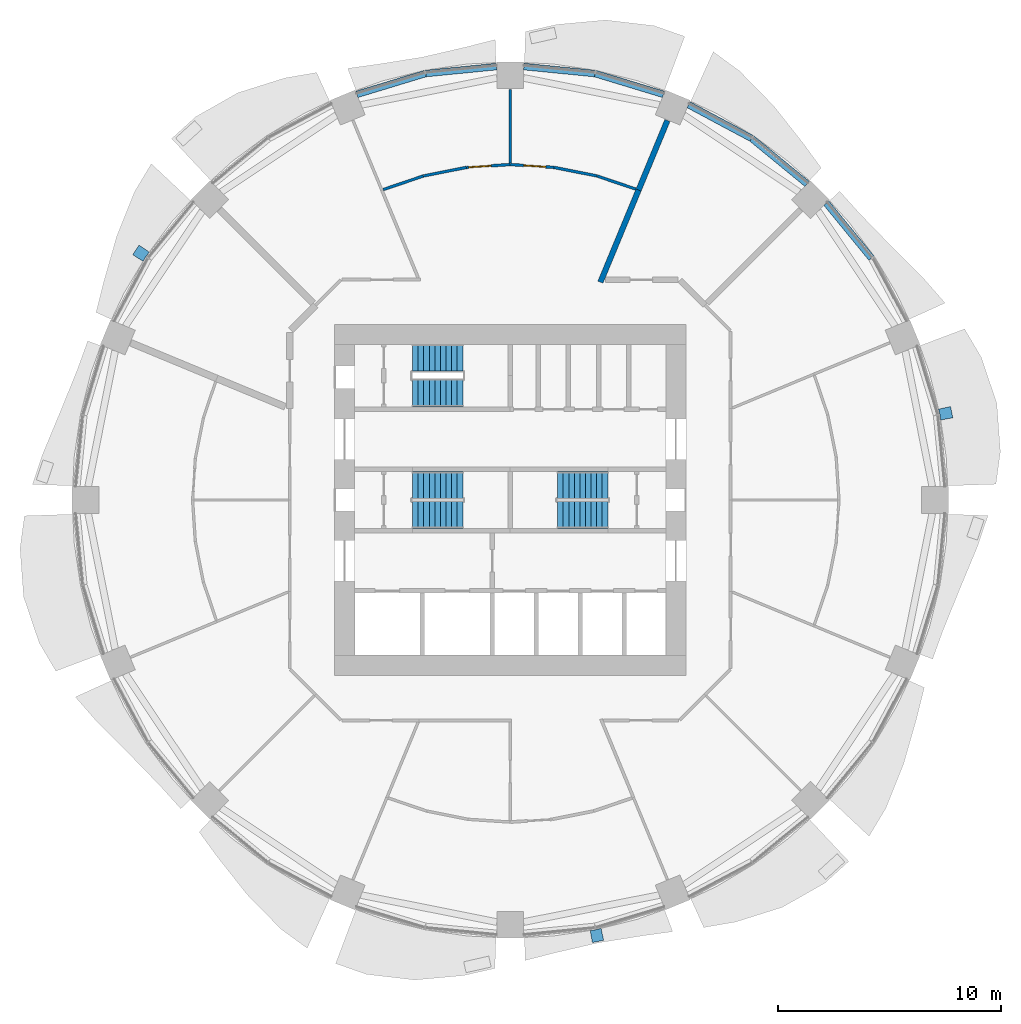
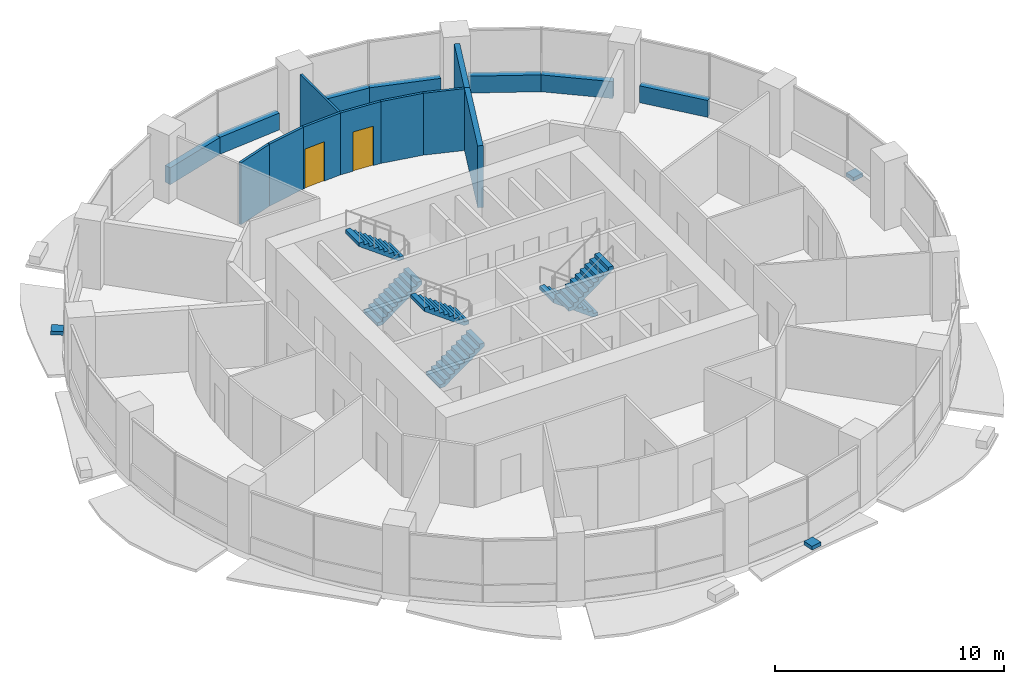
# One storey, part 11 of 15: 16 walls, 6 stair flights, 3 discrete accessories, 2 doors, 2 openings, 3 elements without a shape of their own.
"""IFC4 building model written with IfcOpenShell, lengths in metres."""

from ifc_helpers import new_model, si_unit, direction, frame, frame_2d, origin, place, context, subcontext, project, spatial, polyline, rectangle, outline, extrude, material, layer, layer_set, type_object, element, fill, aggregate, save


model = new_model("IFC4")

# Units and contexts
model_context = context("Model", 3, precision=1e-05, world=origin(), true_north=direction((0.0, 1.0)))
body_context = subcontext(model_context, "Body", "Model", "MODEL_VIEW")
ifc_project = project(units=[si_unit("LENGTHUNIT", "METRE"), si_unit("AREAUNIT", "SQUARE_METRE"), si_unit("VOLUMEUNIT", "CUBIC_METRE"), si_unit("PLANEANGLEUNIT", "RADIAN"), si_unit("MASSUNIT", "GRAM", prefix="KILO")], contexts=[model_context])

# Site, building, storey
site_placement = place(None, origin())
site = spatial("IfcSite", under=ifc_project, at=site_placement, CompositionType="ELEMENT")
building_placement = place(site_placement, origin())
building = spatial("IfcBuilding", under=site, at=building_placement, Name="Polderwave Tower", CompositionType="ELEMENT")
storey_placement = place(building_placement, frame((0.0, 0.0, 51.75)))
storey = spatial("IfcBuildingStorey", under=building, at=storey_placement, Name="L13", CompositionType="ELEMENT", Elevation=51.75)

# Walls
ifc_material_1 = material(Name="Concrete C50/60 (board-marked)", Category="concrete")
ifc_layer_1 = layer(ifc_material_1, 0.300048828125)
ifc_layer_set_1 = layer_set([ifc_layer_1], Name="Concrete spandrel upstand C50/60")
wall_type_1 = type_object("IfcWallType", Name="Concrete spandrel upstand C50/60", PredefinedType="SOLIDWALL", material=ifc_layer_set_1)
for number, where, z_axis, x_axis, name in (
    (1, (16.1875, 10.83349609375, 0.0), (0.0, 0.0, 1.0), (-0.634229767652, 0.773144618958, 0.0), "Spandrel L13 2b"),
    (2, (13.29833984375, 14.16552734375, 0.0), (0.0, 0.0, 1.0), (-0.773144618958, 0.634229767652, 0.0), "Spandrel L13 3a"),
):
    element("IfcWall", number, at=place(storey_placement, frame(where, z_axis=z_axis, x_axis=x_axis)), inside=storey, type_object=wall_type_1, Name=name, PredefinedType="SOLIDWALL", context=body_context, shape_type="SweptSolid", body=[
        extrude(rectangle(XDim=3.18798828125, YDim=0.300048828125, at=frame_2d((1.593994140625, 0.0))), origin(), (0.0, 0.0, 1.0), 0.89990234375),
    ])
wall_1_placement = place(storey_placement, frame((10.808837890625, 16.2041015625, 0.0), z_axis=(0.0, 0.0, 1.0), x_axis=(-0.881994263934, 0.471260138764, 0.0)))
element("IfcWall", 3, at=wall_1_placement, inside=storey, type_object=wall_type_1, Name="Spandrel L13 3b", PredefinedType="SOLIDWALL", context=body_context, shape_type="SweptSolid", body=[
    extrude(rectangle(XDim=3.1865234375, YDim=0.300048828125, at=frame_2d((1.59326171875, 0.0))), origin(), (0.0, 0.0, 1.0), 0.89990234375),
])
wall_2_placement = place(storey_placement, frame((6.864501953125, 18.17529296875, 0.0), z_axis=(0.0, 0.0, 1.0), x_axis=(-0.956849017819, 0.290585541792, 0.0)))
element("IfcWall", 4, at=wall_2_placement, inside=storey, type_object=wall_type_1, Name="Spandrel L13 4a", PredefinedType="SOLIDWALL", context=body_context, shape_type="SweptSolid", body=[
    extrude(rectangle(XDim=3.1875, YDim=0.300048828125, at=frame_2d((1.59375, 0.0))), origin(), (0.0, 0.0, 1.0), 0.89990234375),
])
for number, where, z_axis, x_axis, name in (
    (5, (3.78515625, 19.107421875, 0.0), (0.0, 0.0, 1.0), (-0.995198144732, 0.097880808755, 0.0), "Spandrel L13 4b"),
    (6, (-0.61279296875, 19.41943359375, 0.0), (0.0, 0.0, 1.0), (-0.995198144732, -0.097880808755, 0.0), "Spandrel L13 5a"),
):
    element("IfcWall", number, at=place(storey_placement, frame(where, z_axis=z_axis, x_axis=x_axis)), inside=storey, type_object=wall_type_1, Name=name, PredefinedType="SOLIDWALL", context=body_context, shape_type="SweptSolid", body=[
        extrude(rectangle(XDim=3.187744140625, YDim=0.300048828125, at=frame_2d((1.59375, 0.0))), origin(), (0.0, 0.0, 1.0), 0.89990234375),
    ])
wall_3_placement = place(storey_placement, frame((-3.814453125, 19.1015625, 0.0), z_axis=(0.0, 0.0, 1.0), x_axis=(-0.956849017819, -0.290585541792, 0.0)))
element("IfcWall", 7, at=wall_3_placement, inside=storey, type_object=wall_type_1, Name="Spandrel L13 5b", PredefinedType="SOLIDWALL", context=body_context, shape_type="SweptSolid", body=[
    extrude(rectangle(XDim=3.1875, YDim=0.300048828125, at=frame_2d((1.59375, 0.0))), origin(), (0.0, 0.0, 1.0), 0.89990234375),
])

# Wall, opening, door
ifc_material_2 = material(Name="Fire-resisting board on steel studs", Category="steel")
ifc_layer_2 = layer(ifc_material_2, 0.125)
ifc_layer_set_2 = layer_set([ifc_layer_2], Name="Corridor wall 125 mm EI 60")
wall_type_2 = type_object("IfcWallType", Name="Corridor wall 125 mm EI 60", PredefinedType="PARTITIONING", material=ifc_layer_set_2)
wall_4_placement = place(storey_placement, frame((0.0, 15.030029296875, 0.0), z_axis=(0.0, 0.0, 1.0), x_axis=(0.997855616904, -0.065453554619, 0.0)))
wall_4 = element("IfcWall", 8, at=wall_4_placement, inside=storey, type_object=wall_type_2, Name="IN-L13-W035", PredefinedType="PARTITIONING", context=body_context, shape_type="SweptSolid", body=[
    extrude(rectangle(XDim=1.9619140625, YDim=0.125, at=frame_2d((0.98095703125, 0.0))), origin(), (0.0, 0.0, 1.0), 3.300048828125),
])
opening_1_placement = place(wall_4_placement, frame((0.60009765625, 0.0, 0.0)))
opening_1 = element("IfcOpeningElement", 9, at=opening_1_placement, cuts=wall_4, Name="Opening L13-D63", PredefinedType="OPENING", context=body_context, shape_type="SweptSolid", body=[
    extrude(rectangle(XDim=1.0, YDim=2.10009765625, at=frame_2d((0.5, 1.050048828125))), frame((0.0, 0.072509765625, 0.0), z_axis=(0.0, -1.0, 0.0), x_axis=(1.0, 0.0, 0.0)), (0.0, 0.0, 1.0), 0.14501953125),
])
ifc_material_3 = material(Name="Timber fire door leaf", Category="wood")
door_type = type_object("IfcDoorType", Name="Fire door FD30S 1000 x 2100", OperationType="NOTDEFINED", PredefinedType="DOOR", material=ifc_material_3)
door_1_placement = place(opening_1_placement, origin())
door_1 = element("IfcDoor", 10, at=door_1_placement, inside=storey, type_object=door_type, Name="Door L13-D63", OperationType="SINGLE_SWING_RIGHT", OverallHeight=2.10009765625, OverallWidth=1.0, PredefinedType="DOOR", context=body_context, shape_type="SweptSolid", body=[
    extrude(rectangle(XDim=1.0, YDim=2.10009765625, at=frame_2d((0.5, 1.050048828125))), frame((0.0, 0.02490234375, 0.0), z_axis=(0.0, -1.0, 0.0), x_axis=(1.0, 0.0, 0.0)), (0.0, 0.0, 1.0), 0.050048828125),
])
fill(opening_1, door_1)

# Walls
wall_5_placement = place(storey_placement, frame((1.9658203125, 14.900634765625, 0.0), z_axis=(0.0, 0.0, 1.0), x_axis=(0.980795915473, -0.19503684829, 0.0)))
element("IfcWall", 11, at=wall_5_placement, inside=storey, type_object=wall_type_2, Name="IN-L13-W036", PredefinedType="PARTITIONING", context=body_context, shape_type="SweptSolid", body=[
    extrude(rectangle(XDim=1.957763671875, YDim=0.125, at=frame_2d((0.97900390625, 0.0))), origin(), (0.0, 0.0, 1.0), 3.300048828125),
])
wall_6_placement = place(storey_placement, frame((3.89404296875, 14.5166015625, 0.0), z_axis=(0.0, 0.0, 1.0), x_axis=(0.946909907848, -0.321499030201, 0.0)))
element("IfcWall", 12, at=wall_6_placement, inside=storey, type_object=wall_type_2, Name="IN-L13-W037", PredefinedType="PARTITIONING", context=body_context, shape_type="SweptSolid", body=[
    extrude(rectangle(XDim=1.832275390625, YDim=0.125, at=frame_2d((0.916015625, 0.0))), origin(), (0.0, 0.0, 1.0), 3.300048828125),
])
wall_7_placement = place(storey_placement, frame((-5.6884765625, 13.907470703125, 0.0), z_axis=(0.0, 0.0, 1.0), x_axis=(0.946929690395, 0.321440758848, 0.0)))
element("IfcWall", 13, at=wall_7_placement, inside=storey, type_object=wall_type_2, Name="IN-L13-W039", PredefinedType="PARTITIONING", context=body_context, shape_type="SweptSolid", body=[
    extrude(rectangle(XDim=1.89501953125, YDim=0.125, at=frame_2d((0.947509765625, 0.0))), origin(), (0.0, 0.0, 1.0), 3.300048828125),
])
wall_8_placement = place(storey_placement, frame((-3.885986328125, 14.518798828125, 0.0), z_axis=(0.0, 0.0, 1.0), x_axis=(0.980795915473, 0.19503684829, 0.0)))
element("IfcWall", 14, at=wall_8_placement, inside=storey, type_object=wall_type_2, Name="IN-L13-W040", PredefinedType="PARTITIONING", context=body_context, shape_type="SweptSolid", body=[
    extrude(rectangle(XDim=1.957763671875, YDim=0.125, at=frame_2d((0.97900390625, 0.0))), origin(), (0.0, 0.0, 1.0), 3.300048828125),
])

# Wall, opening, door
wall_9_placement = place(storey_placement, frame((-1.957763671875, 14.901611328125, 0.0), z_axis=(0.0, 0.0, 1.0), x_axis=(0.997855616904, 0.065453554619, 0.0)))
wall_9 = element("IfcWall", 15, at=wall_9_placement, inside=storey, type_object=wall_type_2, Name="IN-L13-W041", PredefinedType="PARTITIONING", context=body_context, shape_type="SweptSolid", body=[
    extrude(rectangle(XDim=1.9619140625, YDim=0.125, at=frame_2d((0.98095703125, 0.0))), origin(), (0.0, 0.0, 1.0), 3.300048828125),
])
opening_2_placement = place(wall_9_placement, frame((0.10009765625, 0.0, 0.0)))
opening_2 = element("IfcOpeningElement", 16, at=opening_2_placement, cuts=wall_9, Name="Opening L13-D64", PredefinedType="OPENING", context=body_context, shape_type="SweptSolid", body=[
    extrude(rectangle(XDim=1.0, YDim=2.10009765625, at=frame_2d((0.5, 1.050048828125))), frame((0.0, 0.072509765625, 0.0), z_axis=(0.0, -1.0, 0.0), x_axis=(1.0, 0.0, 0.0)), (0.0, 0.0, 1.0), 0.14501953125),
])
door_2_placement = place(opening_2_placement, origin())
door_2 = element("IfcDoor", 17, at=door_2_placement, inside=storey, type_object=door_type, Name="Door L13-D64", OperationType="SINGLE_SWING_LEFT", OverallHeight=2.10009765625, OverallWidth=1.0, PredefinedType="DOOR", context=body_context, shape_type="SweptSolid", body=[
    extrude(rectangle(XDim=1.0, YDim=2.10009765625, at=frame_2d((0.5, 1.050048828125))), frame((0.0, 0.02490234375, 0.0), z_axis=(0.0, -1.0, 0.0), x_axis=(1.0, 0.0, 0.0)), (0.0, 0.0, 1.0), 0.050048828125),
])
fill(opening_2, door_2)

# Walls
ifc_material_4 = material(Name="Acoustic double plasterboard on steel studs", Category="steel")
ifc_layer_3 = layer(ifc_material_4, 0.110107421875)
ifc_layer_set_3 = layer_set([ifc_layer_3], Name="Partition 110 mm acoustic double board")
wall_type_3 = type_object("IfcWallType", Name="Partition 110 mm acoustic double board", PredefinedType="PARTITIONING", material=ifc_layer_set_3)
wall_10_placement = place(storey_placement, frame((0.0, 15.09619140625, 0.0), z_axis=(0.0, 0.0, 1.0), x_axis=(0.0, 1.0, 0.0)))
element("IfcWall", 18, at=wall_10_placement, inside=storey, type_object=wall_type_3, Name="IN-L13-W038", PredefinedType="PARTITIONING", context=body_context, shape_type="SweptSolid", body=[
    extrude(rectangle(XDim=3.3037109375, YDim=0.110107421875, at=frame_2d((1.65185546875, 0.0))), origin(), (0.0, 0.0, 1.0), 3.300048828125),
])
ifc_material_5 = material(Name="Fire-resisting board on steel studs, mineral wool", Category="steel")
ifc_layer_4 = layer(ifc_material_5, 0.25)
ifc_layer_set_4 = layer_set([ifc_layer_4], Name="Plant room wall 250 mm EI 120")
wall_type_4 = type_object("IfcWallType", Name="Plant room wall 250 mm EI 120", PredefinedType="PARTITIONING", material=ifc_layer_set_4)
wall_11_placement = place(storey_placement, frame((4.0419921875, 9.758544921875, 0.0), z_axis=(0.0, 0.0, 1.0), x_axis=(0.382697682956, 0.923873629595, 0.0)))
element("IfcWall", 19, at=wall_11_placement, inside=storey, type_object=wall_type_4, Name="IN-L13-W033", PredefinedType="PARTITIONING", context=body_context, shape_type="SweptSolid", body=[
    extrude(rectangle(XDim=4.467529296875, YDim=0.25, at=frame_2d((2.23388671875, 0.0))), origin(), (0.0, 0.0, 1.0), 3.300048828125),
])
wall_12_placement = place(storey_placement, frame((5.751708984375, 13.885986328125, 0.0), z_axis=(0.0, 0.0, 1.0), x_axis=(0.382716478617, 0.923865843613, 0.0)))
element("IfcWall", 20, at=wall_12_placement, inside=storey, type_object=wall_type_4, Name="IN-L13-W034", PredefinedType="PARTITIONING", context=body_context, shape_type="SweptSolid", body=[
    extrude(rectangle(XDim=3.3701171875, YDim=0.25, at=frame_2d((1.68505859375, 0.0))), origin(), (0.0, 0.0, 1.0), 3.300048828125),
])

# Stair, stair flights
ifc_material_6 = material(Name="Concrete C40/50", Category="concrete")
stair_type = type_object("IfcStairType", Name="Exit stair 1200 x 20 risers", PredefinedType="HALF_TURN_STAIR", material=ifc_material_6)
stair_1_placement = place(storey_placement, origin())
stair_1 = element("IfcStair", 21, at=stair_1_placement, inside=storey, type_object=stair_type, Name="L13 Exit stair A", PredefinedType="HALF_TURN_STAIR")
stair_flight_type = type_object("IfcStairFlightType", Name="Stair flight 1200", PredefinedType="STRAIGHT", material=ifc_material_6)
stair_flight_1_placement = place(storey_placement, frame((-4.3740234375, -0.675048828125, 0.0), z_axis=(0.0, 0.0, 1.0), x_axis=(1.0, 0.0, 0.0)))
stair_flight_1 = element("IfcStairFlight", 22, at=stair_flight_1_placement, type_object=stair_flight_type, Name="ST-A flight 1", NumberOfRisers=10, NumberOfTreads=9, PredefinedType="STRAIGHT", RiserHeight=0.1825, TreadLength=0.25, context=body_context, shape_type="SweptSolid", body=[
    extrude(outline(polyline([(0.0, 0.0), (0.0, 0.1826171875), (0.25, 0.1826171875), (0.25, 0.364990234375), (0.5, 0.364990234375), (0.5, 0.547607421875), (0.75, 0.547607421875), (0.75, 0.72998046875), (1.0, 0.72998046875), (1.0, 0.91259765625), (1.25, 0.91259765625), (1.25, 1.094970703125), (1.5, 1.094970703125), (1.5, 1.277587890625), (1.75, 1.277587890625), (1.75, 1.4599609375), (2.0, 1.4599609375), (2.0, 1.642578125), (2.25, 1.642578125), (2.25, 1.824951171875), (2.25, 1.456787109375), (0.254150390625, 0.0), (0.0, 0.0)])), frame((0.0, 0.60009765625, 0.0), z_axis=(0.0, -1.0, 0.0), x_axis=(1.0, 0.0, 0.0)), (0.0, 0.0, 1.0), 1.199951171875),
])
stair_flight_2_placement = place(storey_placement, frame((-2.1240234375, 0.675048828125, 1.824951171875), z_axis=(0.0, 0.0, 1.0), x_axis=(-1.0, 0.0, 0.0)))
stair_flight_2 = element("IfcStairFlight", 23, at=stair_flight_2_placement, type_object=stair_flight_type, Name="ST-A flight 2", NumberOfRisers=10, NumberOfTreads=9, PredefinedType="STRAIGHT", RiserHeight=0.1825, TreadLength=0.25, context=body_context, shape_type="SweptSolid", body=[
    extrude(outline(polyline([(0.0, 0.0), (0.0, 0.1826171875), (0.25, 0.1826171875), (0.25, 0.364990234375), (0.5, 0.364990234375), (0.5, 0.547607421875), (0.75, 0.547607421875), (0.75, 0.72998046875), (1.0, 0.72998046875), (1.0, 0.91259765625), (1.25, 0.91259765625), (1.25, 1.094970703125), (1.5, 1.094970703125), (1.5, 1.277587890625), (1.75, 1.277587890625), (1.75, 1.4599609375), (2.0, 1.4599609375), (2.0, 1.642578125), (2.25, 1.642578125), (2.25, 1.824951171875), (2.25, 1.456787109375), (0.254150390625, 0.0), (0.0, 0.0)])), frame((0.0, 0.60009765625, 0.0), z_axis=(0.0, -1.0, 0.0), x_axis=(1.0, 0.0, 0.0)), (0.0, 0.0, 1.0), 1.199951171875),
])
aggregate(stair_1, [stair_flight_1, stair_flight_2])

stair_2_placement = place(storey_placement, origin())
stair_2 = element("IfcStair", 24, at=stair_2_placement, inside=storey, type_object=stair_type, Name="L13 Exit stair B", PredefinedType="HALF_TURN_STAIR")
stair_flight_3_placement = place(storey_placement, frame((4.3740234375, 0.675048828125, 0.0), z_axis=(0.0, 0.0, 1.0), x_axis=(-1.0, 0.0, 0.0)))
stair_flight_3 = element("IfcStairFlight", 25, at=stair_flight_3_placement, type_object=stair_flight_type, Name="ST-B flight 1", NumberOfRisers=10, NumberOfTreads=9, PredefinedType="STRAIGHT", RiserHeight=0.1825, TreadLength=0.25, context=body_context, shape_type="SweptSolid", body=[
    extrude(outline(polyline([(0.0, 0.0), (0.0, 0.1826171875), (0.25, 0.1826171875), (0.25, 0.364990234375), (0.5, 0.364990234375), (0.5, 0.547607421875), (0.75, 0.547607421875), (0.75, 0.72998046875), (1.0, 0.72998046875), (1.0, 0.91259765625), (1.25, 0.91259765625), (1.25, 1.094970703125), (1.5, 1.094970703125), (1.5, 1.277587890625), (1.75, 1.277587890625), (1.75, 1.4599609375), (2.0, 1.4599609375), (2.0, 1.642578125), (2.25, 1.642578125), (2.25, 1.824951171875), (2.25, 1.456787109375), (0.254150390625, 0.0), (0.0, 0.0)])), frame((0.0, 0.60009765625, 0.0), z_axis=(0.0, -1.0, 0.0), x_axis=(1.0, 0.0, 0.0)), (0.0, 0.0, 1.0), 1.199951171875),
])
stair_flight_4_placement = place(storey_placement, frame((2.1240234375, -0.675048828125, 1.824951171875), z_axis=(0.0, 0.0, 1.0), x_axis=(1.0, 0.0, 0.0)))
stair_flight_4 = element("IfcStairFlight", 26, at=stair_flight_4_placement, type_object=stair_flight_type, Name="ST-B flight 2", NumberOfRisers=10, NumberOfTreads=9, PredefinedType="STRAIGHT", RiserHeight=0.1825, TreadLength=0.25, context=body_context, shape_type="SweptSolid", body=[
    extrude(outline(polyline([(0.0, 0.0), (0.0, 0.1826171875), (0.25, 0.1826171875), (0.25, 0.364990234375), (0.5, 0.364990234375), (0.5, 0.547607421875), (0.75, 0.547607421875), (0.75, 0.72998046875), (1.0, 0.72998046875), (1.0, 0.91259765625), (1.25, 0.91259765625), (1.25, 1.094970703125), (1.5, 1.094970703125), (1.5, 1.277587890625), (1.75, 1.277587890625), (1.75, 1.4599609375), (2.0, 1.4599609375), (2.0, 1.642578125), (2.25, 1.642578125), (2.25, 1.824951171875), (2.25, 1.456787109375), (0.254150390625, 0.0), (0.0, 0.0)])), frame((0.0, 0.60009765625, 0.0), z_axis=(0.0, -1.0, 0.0), x_axis=(1.0, 0.0, 0.0)), (0.0, 0.0, 1.0), 1.199951171875),
])
aggregate(stair_2, [stair_flight_3, stair_flight_4])

stair_3_placement = place(storey_placement, origin())
stair_3 = element("IfcStair", 27, at=stair_3_placement, inside=storey, type_object=stair_type, Name="L13 Exit stair C", PredefinedType="HALF_TURN_STAIR")
stair_flight_5_placement = place(storey_placement, frame((-4.3740234375, 4.77392578125, 0.0), z_axis=(0.0, 0.0, 1.0), x_axis=(1.0, 0.0, 0.0)))
stair_flight_5 = element("IfcStairFlight", 28, at=stair_flight_5_placement, type_object=stair_flight_type, Name="ST-C flight 1", NumberOfRisers=10, NumberOfTreads=9, PredefinedType="STRAIGHT", RiserHeight=0.1825, TreadLength=0.25, context=body_context, shape_type="SweptSolid", body=[
    extrude(outline(polyline([(0.0, 0.0), (0.0, 0.1826171875), (0.25, 0.1826171875), (0.25, 0.364990234375), (0.5, 0.364990234375), (0.5, 0.547607421875), (0.75, 0.547607421875), (0.75, 0.72998046875), (1.0, 0.72998046875), (1.0, 0.91259765625), (1.25, 0.91259765625), (1.25, 1.094970703125), (1.5, 1.094970703125), (1.5, 1.277587890625), (1.75, 1.277587890625), (1.75, 1.4599609375), (2.0, 1.4599609375), (2.0, 1.642578125), (2.25, 1.642578125), (2.25, 1.824951171875), (2.25, 1.456787109375), (0.254150390625, 0.0), (0.0, 0.0)])), frame((0.0, 0.60009765625, 0.0), z_axis=(0.0, -1.0, 0.0), x_axis=(1.0, 0.0, 0.0)), (0.0, 0.0, 1.0), 1.199951171875),
])
stair_flight_6_placement = place(storey_placement, frame((-2.1240234375, 6.3740234375, 1.824951171875), z_axis=(0.0, 0.0, 1.0), x_axis=(-1.0, 0.0, 0.0)))
stair_flight_6 = element("IfcStairFlight", 29, at=stair_flight_6_placement, type_object=stair_flight_type, Name="ST-C flight 2", NumberOfRisers=10, NumberOfTreads=9, PredefinedType="STRAIGHT", RiserHeight=0.1825, TreadLength=0.25, context=body_context, shape_type="SweptSolid", body=[
    extrude(outline(polyline([(0.0, 0.0), (0.0, 0.1826171875), (0.25, 0.1826171875), (0.25, 0.364990234375), (0.5, 0.364990234375), (0.5, 0.547607421875), (0.75, 0.547607421875), (0.75, 0.72998046875), (1.0, 0.72998046875), (1.0, 0.91259765625), (1.25, 0.91259765625), (1.25, 1.094970703125), (1.5, 1.094970703125), (1.5, 1.277587890625), (1.75, 1.277587890625), (1.75, 1.4599609375), (2.0, 1.4599609375), (2.0, 1.642578125), (2.25, 1.642578125), (2.25, 1.824951171875), (2.25, 1.456787109375), (0.254150390625, 0.0), (0.0, 0.0)])), frame((0.0, 0.60009765625, 0.0), z_axis=(0.0, -1.0, 0.0), x_axis=(1.0, 0.0, 0.0)), (0.0, 0.0, 1.0), 1.199951171875),
])
aggregate(stair_3, [stair_flight_5, stair_flight_6])

# Discrete accessories
ifc_material_7 = material(Name="Steel S355", Category="steel")
discrete_accessory_type = type_object("IfcDiscreteAccessoryType", Name="Band bracket pad", PredefinedType="BRACKET", material=ifc_material_7)
discrete_accessory_1_placement = place(storey_placement, frame((0.0, 0.0, -0.199951171875)))
element("IfcDiscreteAccessory", 30, at=discrete_accessory_1_placement, inside=storey, type_object=discrete_accessory_type, Name="Band bracket L13 1", PredefinedType="BRACKET", context=body_context, shape_type="SweptSolid", body=[
    extrude(outline(polyline([(19.28955078125, 3.582275390625), (19.252685546875, 3.82958984375), (19.192138671875, 4.072021484375), (19.72998046875, 4.186279296875), (19.830322265625, 3.682861328125), (19.28955078125, 3.582275390625)])), origin(), (0.0, 0.0, 1.0), 0.199951171875),
])
discrete_accessory_2_placement = place(storey_placement, frame((0.0, 0.0, -0.199951171875)))
element("IfcDiscreteAccessory", 31, at=discrete_accessory_2_placement, inside=storey, type_object=discrete_accessory_type, Name="Band bracket L13 7", PredefinedType="BRACKET", context=body_context, shape_type="SweptSolid", body=[
    extrude(outline(polyline([(-16.1728515625, 11.106689453125), (-16.32177734375, 10.90576171875), (-16.4501953125, 10.69140625), (-16.911376953125, 10.9912109375), (-16.626220703125, 11.41796875), (-16.1728515625, 11.106689453125)])), origin(), (0.0, 0.0, 1.0), 0.199951171875),
])
discrete_accessory_3_placement = place(storey_placement, frame((0.0, 0.0, -0.199951171875)))
element("IfcDiscreteAccessory", 32, at=discrete_accessory_3_placement, inside=storey, type_object=discrete_accessory_type, Name="Band bracket L13 13", PredefinedType="BRACKET", context=body_context, shape_type="SweptSolid", body=[
    extrude(outline(polyline([(3.582275390625, -19.28955078125), (3.82958984375, -19.252685546875), (4.072021484375, -19.192138671875), (4.186279296875, -19.72998046875), (3.682861328125, -19.830322265625), (3.582275390625, -19.28955078125)])), origin(), (0.0, 0.0, 1.0), 0.199951171875),
])

save(model, "model.ifc")
